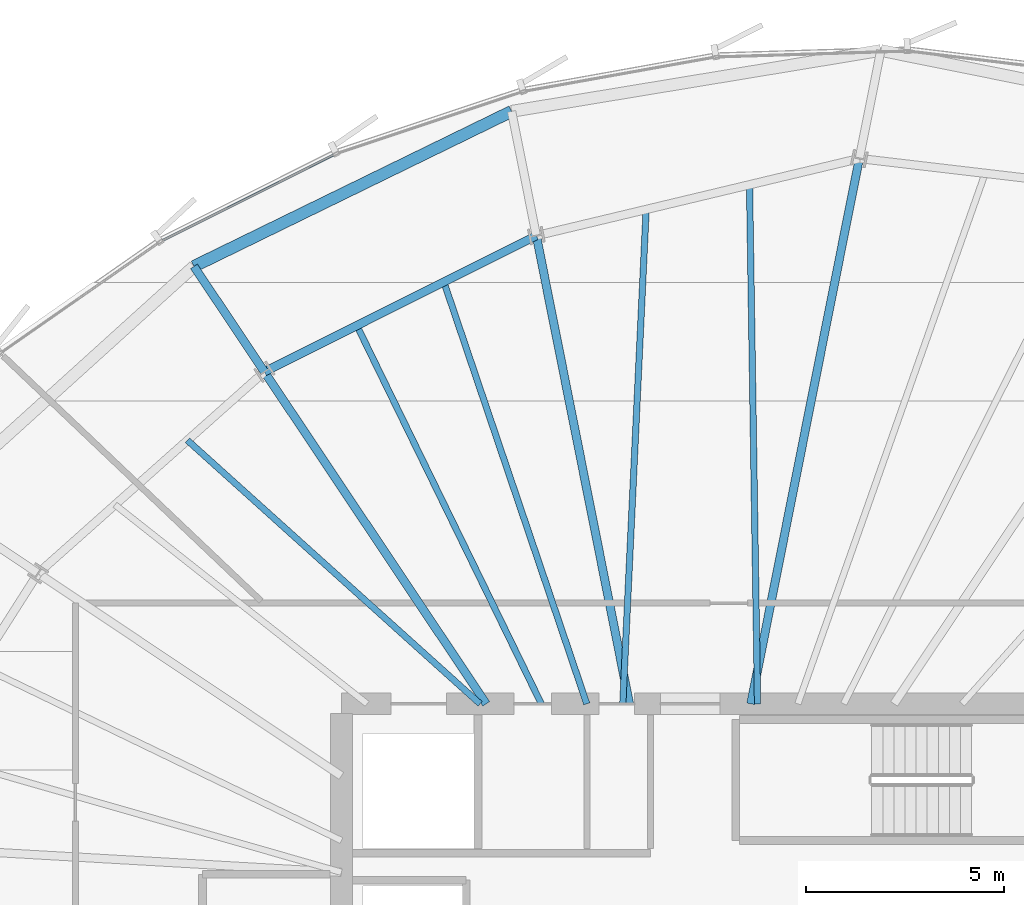
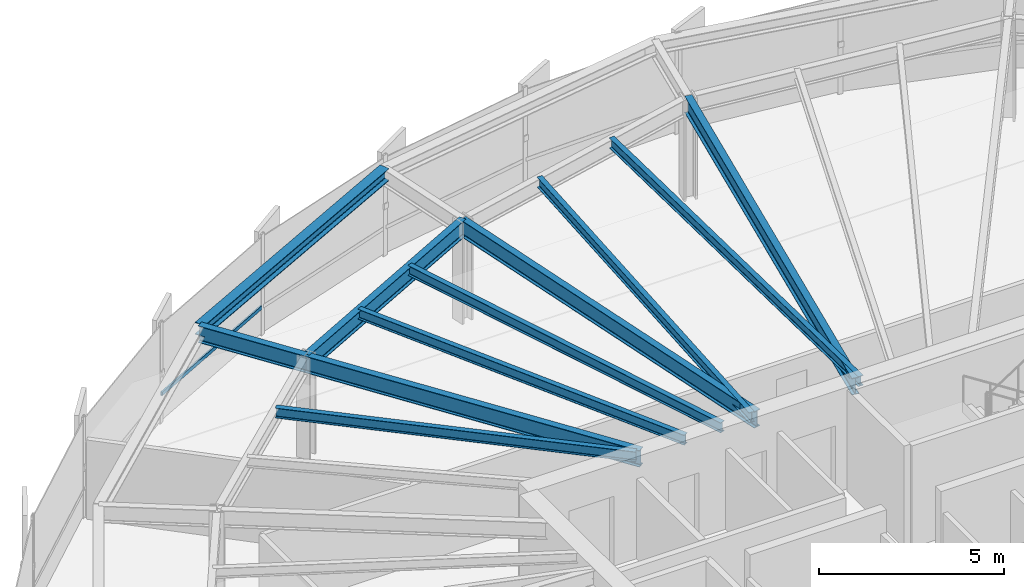
# One storey, part 20 of 34: 11 beams, 1 member, 1 element without a shape of its own.
"""IFC4 building model written with IfcOpenShell, lengths in metres."""

from ifc_helpers import new_model, si_unit, direction, frame, origin, origin_2d, place, context, subcontext, project, spatial, hollow_rectangle, i_section, extrude, source, transform, mapped, material, layer, layer_set, material_profile, profile_set, type_object, element, aggregate, save


model = new_model("IFC4")

# Units and contexts
model_context = context("Model", 3, precision=1e-05, world=origin(), true_north=direction((0.0, 1.0)))
body_context = subcontext(model_context, "Body", "Model", "MODEL_VIEW")
ifc_project = project(units=[si_unit("LENGTHUNIT", "METRE"), si_unit("AREAUNIT", "SQUARE_METRE"), si_unit("VOLUMEUNIT", "CUBIC_METRE"), si_unit("PLANEANGLEUNIT", "RADIAN"), si_unit("MASSUNIT", "GRAM", prefix="KILO"), si_unit("THERMODYNAMICTEMPERATUREUNIT", "KELVIN")], contexts=[model_context])

# Site, building, storey
site_placement = place(None, origin())
site = spatial("IfcSite", under=ifc_project, at=site_placement, CompositionType="ELEMENT")
building_placement = place(site_placement, origin())
building = spatial("IfcBuilding", under=site, at=building_placement, Name="Kethvar Cultural Tower", CompositionType="ELEMENT")
storey_placement = place(building_placement, frame((0.0, 0.0, 125.199951171875)))
storey = spatial("IfcBuildingStorey", under=building, at=storey_placement, Name="L31", CompositionType="ELEMENT", Elevation=125.199951171875)

# Beams
ifc_material_1 = material(Name="Steel S355J2", Category="steel")
ifc_material_profile_1 = material_profile(ifc_material_1, i_section(OverallWidth=0.2099609375, OverallDepth=0.550048828125, WebThickness=0.010986328125, FlangeThickness=0.01708984375, FilletRadius=0.02392578125, at=origin_2d()), Name="Steel S355J2 — IPE550")
ifc_profile_set_1 = profile_set([ifc_material_profile_1], Name="Steel S355J2 — IPE550")
beam_type_1 = type_object("IfcBeamType", Name="BM-IPE550", PredefinedType="BEAM", material=ifc_profile_set_1)
shared_shape_1 = source(origin(), body_context, "Body", "SweptSolid", [
    extrude(i_section(OverallWidth=0.2099609375, OverallDepth=0.550048828125, WebThickness=0.010986328125, FlangeThickness=0.01708984375, FilletRadius=0.02392578125, at=origin_2d()), origin(), (0.0, 0.0, 1.0), 3.2001953125),
])
beam_1_placement = place(storey_placement, frame((36.0576171875, 43.877197265625, 3.072998046875), z_axis=(-0.555544970406, 0.831486491686, 0.0), x_axis=(-0.831486491686, -0.555544970406, 0.0)))
element("IfcBeam", 1, at=beam_1_placement, inside=storey, type_object=beam_type_1, Name="L31 Perimeter Cantilever Beam RC-06", PredefinedType="BEAM", context=body_context, shape_type="MappedRepresentation", body=[
    mapped(shared_shape_1, transform((0.0, 0.0, 0.0), scale=1.0)),
])
shared_shape_2 = source(origin(), body_context, "Body", "SweptSolid", [
    extrude(i_section(OverallWidth=0.2099609375, OverallDepth=0.550048828125, WebThickness=0.010986328125, FlangeThickness=0.01708984375, FilletRadius=0.02392578125, at=origin_2d()), origin(), (0.0, 0.0, 1.0), 14.02880859375),
])
beam_2_placement = place(storey_placement, frame((48.33154296875, 35.5, 3.072998046875), z_axis=(0.195101986683, 0.980782960085, 0.0), x_axis=(-0.980782960085, 0.195101986683, 0.0)))
element("IfcBeam", 2, at=beam_2_placement, inside=storey, type_object=beam_type_1, Name="L31 Primary Radial Beam RB-04", PredefinedType="BEAM", context=body_context, shape_type="MappedRepresentation", body=[
    mapped(shared_shape_2, transform((0.0, 0.0, 0.0), scale=1.0)),
])
shared_shape_3 = source(origin(), body_context, "Body", "SweptSolid", [
    extrude(i_section(OverallWidth=0.2099609375, OverallDepth=0.550048828125, WebThickness=0.010986328125, FlangeThickness=0.01708984375, FilletRadius=0.02392578125, at=origin_2d()), origin(), (0.0, 0.0, 1.0), 12.042724609375),
])
beam_3_placement = place(storey_placement, frame((45.268310546875, 35.5, 3.072998046875), z_axis=(-0.195086784047, 0.980785984142, 0.0), x_axis=(-0.980785984142, -0.195086784047, 0.0)))
element("IfcBeam", 3, at=beam_3_placement, inside=storey, type_object=beam_type_1, Name="L31 Primary Radial Beam RB-05", PredefinedType="BEAM", context=body_context, shape_type="MappedRepresentation", body=[
    mapped(shared_shape_3, transform((0.0, 0.0, 0.0), scale=1.0)),
])
shared_shape_4 = source(origin(), body_context, "Body", "SweptSolid", [
    extrude(i_section(OverallWidth=0.2099609375, OverallDepth=0.550048828125, WebThickness=0.010986328125, FlangeThickness=0.01708984375, FilletRadius=0.02392578125, at=origin_2d()), origin(), (0.0, 0.0, 1.0), 10.0751953125),
])
beam_4_placement = place(storey_placement, frame((41.655029296875, 35.5, 3.072998046875), z_axis=(-0.555566654614, 0.831472003305, 0.0), x_axis=(-0.831472003305, -0.555566654614, 0.0)))
element("IfcBeam", 4, at=beam_4_placement, inside=storey, type_object=beam_type_1, Name="L31 Primary Radial Beam RB-06", PredefinedType="BEAM", context=body_context, shape_type="MappedRepresentation", body=[
    mapped(shared_shape_4, transform((0.0, 0.0, 0.0), scale=1.0)),
])
ifc_material_profile_2 = material_profile(ifc_material_1, i_section(OverallWidth=0.159912109375, OverallDepth=0.330078125, WebThickness=0.007568359375, FlangeThickness=0.011474609375, FilletRadius=0.01806640625, at=origin_2d()), Name="Steel S355J2 — IPE330")
ifc_profile_set_2 = profile_set([ifc_material_profile_2], Name="Steel S355J2 — IPE330")
beam_type_2 = type_object("IfcBeamType", Name="BM-J330", PredefinedType="JOIST", material=ifc_profile_set_2)
shared_shape_5 = source(origin(), body_context, "Body", "SweptSolid", [
    extrude(i_section(OverallWidth=0.159912109375, OverallDepth=0.330078125, WebThickness=0.007568359375, FlangeThickness=0.011474609375, FilletRadius=0.01806640625, at=origin_2d()), origin(), (0.0, 0.0, 1.0), 13.098388671875),
])
beam_5_placement = place(storey_placement, frame((48.5, 35.5, 3.18310546875), z_axis=(-0.015451599057, 0.999880616917, 0.0), x_axis=(-0.999880616917, -0.015451599057, 0.0)))
element("IfcBeam", 5, at=beam_5_placement, inside=storey, type_object=beam_type_2, Name="L31 Composite Floor Joist J-04A", PredefinedType="JOIST", context=body_context, shape_type="MappedRepresentation", body=[
    mapped(shared_shape_5, transform((0.0, 0.0, 0.0), scale=1.0)),
])
shared_shape_6 = source(origin(), body_context, "Body", "SweptSolid", [
    extrude(i_section(OverallWidth=0.159912109375, OverallDepth=0.330078125, WebThickness=0.007568359375, FlangeThickness=0.011474609375, FilletRadius=0.01806640625, at=origin_2d()), origin(), (0.0, 0.0, 1.0), 12.487548828125),
])
beam_6_placement = place(storey_placement, frame((45.10009765625, 35.5, 3.18310546875), z_axis=(0.047214958818, 0.998884751943, 0.0), x_axis=(-0.998884751943, 0.047214958818, 0.0)))
element("IfcBeam", 6, at=beam_6_placement, inside=storey, type_object=beam_type_2, Name="L31 Composite Floor Joist J-04B", PredefinedType="JOIST", context=body_context, shape_type="MappedRepresentation", body=[
    mapped(shared_shape_6, transform((0.0, 0.0, 0.0), scale=1.0)),
])
shared_shape_7 = source(origin(), body_context, "Body", "SweptSolid", [
    extrude(i_section(OverallWidth=0.2099609375, OverallDepth=0.550048828125, WebThickness=0.010986328125, FlangeThickness=0.01708984375, FilletRadius=0.02392578125, at=origin_2d()), origin(), (0.0, 0.0, 1.0), 7.672607421875),
])
beam_7_placement = place(storey_placement, frame((42.9189453125, 47.311279296875, 3.072998046875), z_axis=(-0.894248932057, -0.447569935892, 0.0), x_axis=(0.447569935892, -0.894248932057, 0.0)))
element("IfcBeam", 7, at=beam_7_placement, inside=storey, type_object=beam_type_1, Name="L31 Column Ring Tie Beam CR-05", PredefinedType="BEAM", context=body_context, shape_type="MappedRepresentation", body=[
    mapped(shared_shape_7, transform((0.0, 0.0, 0.0), scale=1.0)),
])
shared_shape_8 = source(origin(), body_context, "Body", "SweptSolid", [
    extrude(i_section(OverallWidth=0.159912109375, OverallDepth=0.330078125, WebThickness=0.007568359375, FlangeThickness=0.011474609375, FilletRadius=0.01806640625, at=origin_2d()), origin(), (0.0, 0.0, 1.0), 11.23779296875),
])
beam_8_placement = place(storey_placement, frame((44.191650390625, 35.5, 3.18310546875), z_axis=(-0.32083186626, 0.94713616423, 0.0), x_axis=(-0.94713616423, -0.32083186626, 0.0)))
element("IfcBeam", 8, at=beam_8_placement, inside=storey, type_object=beam_type_2, Name="L31 Composite Floor Joist J-05A", PredefinedType="JOIST", context=body_context, shape_type="MappedRepresentation", body=[
    mapped(shared_shape_8, transform((0.0, 0.0, 0.0), scale=1.0)),
])
shared_shape_9 = source(origin(), body_context, "Body", "SweptSolid", [
    extrude(i_section(OverallWidth=0.159912109375, OverallDepth=0.330078125, WebThickness=0.007568359375, FlangeThickness=0.011474609375, FilletRadius=0.01806640625, at=origin_2d()), origin(), (0.0, 0.0, 1.0), 10.619384765625),
])
beam_9_placement = place(storey_placement, frame((43.044921875, 35.5, 3.18310546875), z_axis=(-0.438308125028, 0.898824781331, 0.0), x_axis=(-0.898824781331, -0.438308125028, 0.0)))
element("IfcBeam", 9, at=beam_9_placement, inside=storey, type_object=beam_type_2, Name="L31 Composite Floor Joist J-05B", PredefinedType="JOIST", context=body_context, shape_type="MappedRepresentation", body=[
    mapped(shared_shape_9, transform((0.0, 0.0, 0.0), scale=1.0)),
])
shared_shape_10 = source(origin(), body_context, "Body", "SweptSolid", [
    extrude(i_section(OverallWidth=0.159912109375, OverallDepth=0.330078125, WebThickness=0.007568359375, FlangeThickness=0.011474609375, FilletRadius=0.01806640625, at=origin_2d()), origin(), (0.0, 0.0, 1.0), 9.93701171875),
])
beam_10_placement = place(storey_placement, frame((41.5, 35.5, 3.18310546875), z_axis=(-0.743138974967, 0.669137103952, 0.0), x_axis=(-0.669137103952, -0.743138974967, 0.0)))
element("IfcBeam", 10, at=beam_10_placement, inside=storey, type_object=beam_type_2, Name="L31 Composite Floor Joist J-06A", PredefinedType="JOIST", context=body_context, shape_type="MappedRepresentation", body=[
    mapped(shared_shape_10, transform((0.0, 0.0, 0.0), scale=1.0)),
])
ifc_material_profile_3 = material_profile(ifc_material_1, i_section(OverallWidth=0.300048828125, OverallDepth=0.39990234375, WebThickness=0.013427734375, FlangeThickness=0.02392578125, FilletRadius=0.027099609375, at=origin_2d()), Name="Steel S355J2 — HEB400")
ifc_profile_set_3 = profile_set([ifc_material_profile_3], Name="Steel S355J2 — HEB400")
beam_type_3 = type_object("IfcBeamType", Name="BM-SP400", PredefinedType="SPANDREL", material=ifc_profile_set_3)
shared_shape_11 = source(origin(), body_context, "Body", "SweptSolid", [
    extrude(i_section(OverallWidth=0.300048828125, OverallDepth=0.39990234375, WebThickness=0.013427734375, FlangeThickness=0.02392578125, FilletRadius=0.027099609375, at=origin_2d()), origin(), (0.0, 0.0, 1.0), 8.91845703125),
])
beam_11_placement = place(storey_placement, frame((42.294677734375, 50.44970703125, 3.14794921875), z_axis=(-0.898683713341, -0.438597290662, 0.0), x_axis=(0.438597290662, -0.898683713341, 0.0)))
element("IfcBeam", 11, at=beam_11_placement, inside=storey, type_object=beam_type_3, Name="L31 Perimeter Spandrel Beam SP-05", PredefinedType="SPANDREL", context=body_context, shape_type="MappedRepresentation", body=[
    mapped(shared_shape_11, transform((0.0, 0.0, 0.0), scale=1.0)),
])

# Curtain wall, member
ifc_material_2 = material(Name="Aluminium 6063-T6", Category="aluminium")
ifc_layer = layer(ifc_material_2, 0.179931640625, Name="Aluminium 6063-T6", Category="aluminium")
ifc_layer_set = layer_set([ifc_layer], Name="Aluminium 6063-T6 (180 mm)")
curtain_wall_type = type_object("IfcCurtainWallType", Name="CW-SYS-03-Z2", PredefinedType="NOTDEFINED", material=ifc_layer_set)
curtain_wall_placement = place(storey_placement, origin())
curtain_wall = element("IfcCurtainWall", 12, at=curtain_wall_placement, inside=storey, type_object=curtain_wall_type, Name="L31 Curtain Wall Run 02", PredefinedType="NOTDEFINED")
ifc_material_profile_4 = material_profile(ifc_material_2, hollow_rectangle(XDim=0.054931640625, YDim=0.1201171875, WallThickness=0.00390625, at=origin_2d()), Name="Aluminium 6063-T6 — RHS120x55x4")
ifc_profile_set_4 = profile_set([ifc_material_profile_4], Name="Aluminium 6063-T6 — RHS120x55x4")
member_type = type_object("IfcMemberType", Name="CW-SYS-03-Z2-TRN", PredefinedType="USERDEFINED", material=ifc_profile_set_4)
shared_shape_12 = source(origin(), body_context, "Body", "SweptSolid", [
    extrude(hollow_rectangle(XDim=0.054931640625, YDim=0.1201171875, WallThickness=0.00390625, at=origin_2d()), origin(), (0.0, 0.0, 1.0), 4.8984375),
])
member_placement = place(storey_placement, frame((37.830078125, 49.364013671875, 0.949951171875), z_axis=(-0.894147907091, -0.447771727832, 0.0), x_axis=(0.447771727832, -0.894147907091, 0.0)))
member = element("IfcMember", 13, at=member_placement, type_object=member_type, Name="CW-L31-R02 Transom 4", ObjectType="TRANSOM", PredefinedType="USERDEFINED", context=body_context, shape_type="MappedRepresentation", body=[
    mapped(shared_shape_12, transform((0.0, 0.0, 0.0), scale=1.0)),
])
aggregate(curtain_wall, [member])

save(model, "model.ifc")
